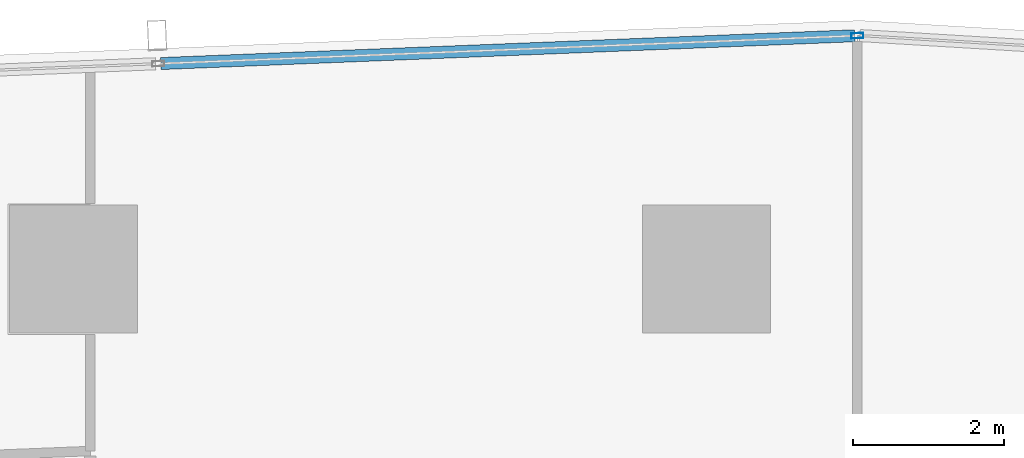
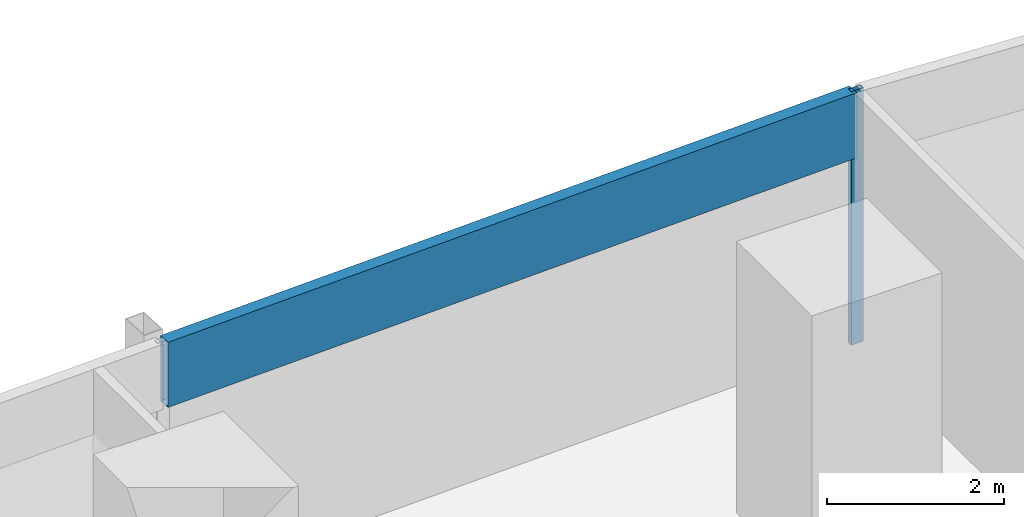
# One storey, part 21 of 40: 2 members, 1 element without a shape of its own.
"""IFC4 building model written with IfcOpenShell, lengths in metres."""

from ifc_helpers import new_model, si_unit, direction, frame, origin, origin_2d, place, context, subcontext, project, spatial, hollow_rectangle, extrude, material, material_profile, profile_set, type_object, element, aggregate, save


model = new_model("IFC4")

# Units and contexts
model_context = context("Model", 3, precision=1e-05, world=origin(), true_north=direction((0.0, 1.0)))
body_context = subcontext(model_context, "Body", "Model", "MODEL_VIEW")
ifc_project = project(units=[si_unit("LENGTHUNIT", "METRE"), si_unit("AREAUNIT", "SQUARE_METRE"), si_unit("VOLUMEUNIT", "CUBIC_METRE"), si_unit("PLANEANGLEUNIT", "RADIAN"), si_unit("MASSUNIT", "GRAM", prefix="KILO")], contexts=[model_context])

# Site, building, storey
site_placement = place(None, origin())
site = spatial("IfcSite", under=ifc_project, at=site_placement, CompositionType="ELEMENT")
building_placement = place(site_placement, origin())
building = spatial("IfcBuilding", under=site, at=building_placement, Name="Rekha Terrace Tower", CompositionType="ELEMENT")
storey_placement = place(building_placement, frame((0.0, 0.0, 132.800048828125)))
storey = spatial("IfcBuildingStorey", under=building, at=storey_placement, Name="L33", CompositionType="ELEMENT", Elevation=132.800048828125)

# Curtain wall, members
ifc_material_1 = material(Name="Aluminium framing", Category="aluminium")
curtain_wall_type = type_object("IfcCurtainWallType", Name="CW3 north unitised glazing", PredefinedType="USERDEFINED", material=ifc_material_1)
curtain_wall_placement = place(storey_placement, origin())
curtain_wall = element("IfcCurtainWall", 1, at=curtain_wall_placement, inside=storey, type_object=curtain_wall_type, Name="CW3 unitised curtain wall", ObjectType="UNITISED CURTAIN WALL", PredefinedType="USERDEFINED")
ifc_material_2 = material(Name="Aluminium mullion section", Category="aluminium")
ifc_material_profile_1 = material_profile(ifc_material_2, hollow_rectangle(XDim=0.070068359375, YDim=0.159912109375, WallThickness=0.00390625, at=origin_2d()), Name="AL RHS 70x160")
ifc_profile_set_1 = profile_set([ifc_material_profile_1], Name="Aluminium mullion section")
member_type_1 = type_object("IfcMemberType", Name="CW3 mullion RHS 70 x 160", PredefinedType="MULLION", material=ifc_profile_set_1)
member_1_placement = place(storey_placement, frame((44.0029296875, 61.8984375, 0.0), z_axis=(0.0, 0.0, 1.0), x_axis=(0.040031987119, -0.999198398721, 0.0)))
member_1 = element("IfcMember", 2, at=member_1_placement, type_object=member_type_1, Name="CW3 mullion 1", PredefinedType="MULLION", context=body_context, shape_type="SweptSolid", body=[
    extrude(hollow_rectangle(XDim=0.070068359375, YDim=0.159912109375, WallThickness=0.00390625, at=origin_2d()), origin(), (0.0, 0.0, 1.0), 3.5),
])
ifc_material_3 = material(Name="Insulated aluminium spandrel box", Category="aluminium")
ifc_material_profile_2 = material_profile(ifc_material_3, hollow_rectangle(XDim=0.159912109375, YDim=0.89990234375, WallThickness=0.0029296875, at=origin_2d()), Name="AL SPANDREL BOX 160x900")
ifc_profile_set_2 = profile_set([ifc_material_profile_2], Name="Insulated aluminium spandrel box")
member_type_2 = type_object("IfcMemberType", Name="CW3 spandrel transom 160 x 900", PredefinedType="USERDEFINED", material=ifc_profile_set_2)
member_2_placement = place(storey_placement, frame((43.968017578125, 61.89697265625, 3.050048828125), z_axis=(-0.999198290018, -0.04003470026, 0.0), x_axis=(0.04003470026, -0.999198290018, 0.0)))
member_2 = element("IfcMember", 3, at=member_2_placement, type_object=member_type_2, Name="CW3 spandrel transom 1", ObjectType="TRANSOM", PredefinedType="USERDEFINED", context=body_context, shape_type="SweptSolid", body=[
    extrude(hollow_rectangle(XDim=0.159912109375, YDim=0.89990234375, WallThickness=0.0029296875, at=origin_2d()), origin(), (0.0, 0.0, 1.0), 9.21435546875),
])
aggregate(curtain_wall, [member_1, member_2])

save(model, "model.ifc")
